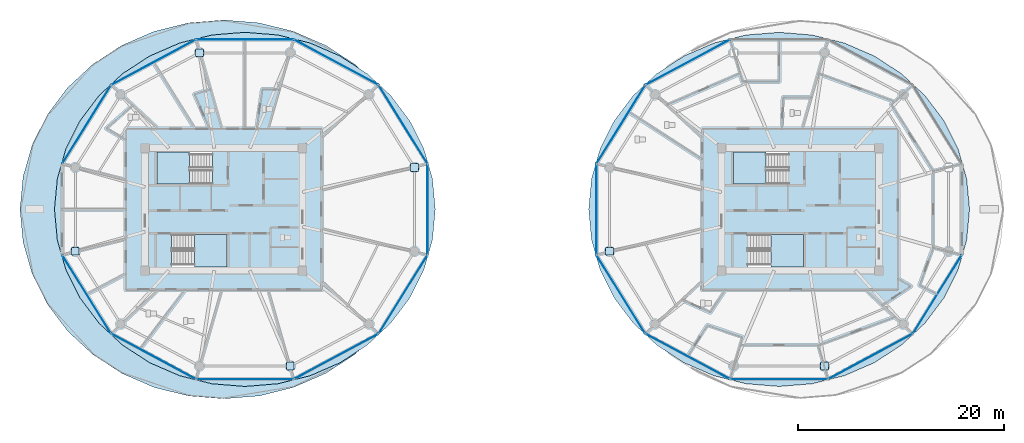
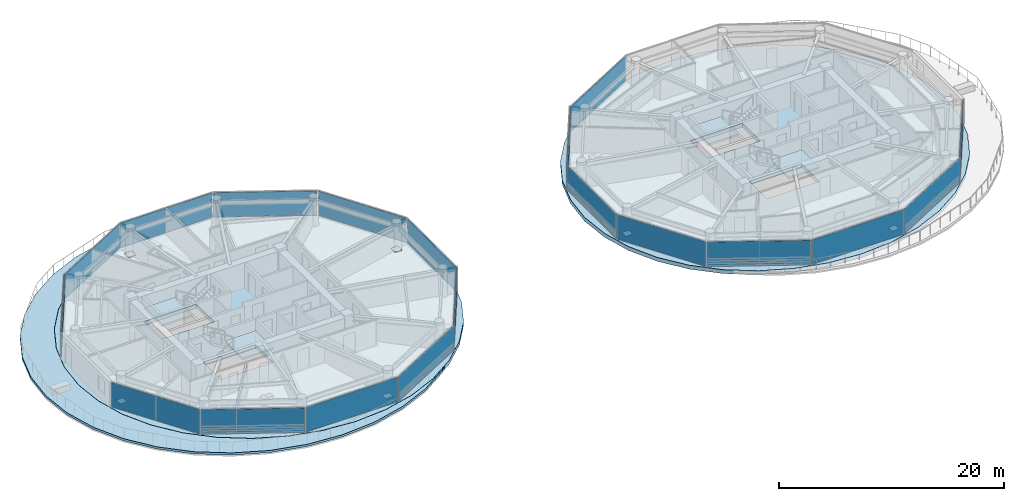
# One storey, part 13 of 32: 25 plates, 7 slabs, 23 elements without a shape of their own.
"""IFC4 building model written with IfcOpenShell, lengths in metres."""

from ifc_helpers import new_model, si_unit, direction, frame, origin, origin_2d, place, context, subcontext, project, spatial, polyline, rectangle, outline, extrude, source, transform, mapped, material, layer, layer_set, type_object, type_shapes, element, aggregate, save


model = new_model("IFC4")

# Units and contexts
model_context = context("Model", 3, precision=1e-05, world=origin(), true_north=direction((0.0, 1.0)))
body_context = subcontext(model_context, "Body", "Model", "MODEL_VIEW")
ifc_project = project(units=[si_unit("LENGTHUNIT", "METRE"), si_unit("AREAUNIT", "SQUARE_METRE"), si_unit("VOLUMEUNIT", "CUBIC_METRE"), si_unit("PLANEANGLEUNIT", "RADIAN"), si_unit("MASSUNIT", "GRAM", prefix="KILO")], contexts=[model_context])

# Site, building, storey
site_placement = place(None, origin())
site = spatial("IfcSite", under=ifc_project, at=site_placement, CompositionType="ELEMENT")
building_placement = place(site_placement, origin())
building = spatial("IfcBuilding", under=site, at=building_placement, Name="Norrkilde Senior Care Towers", CompositionType="ELEMENT")
storey_placement = place(building_placement, frame((0.0, 0.0, 77.949951171875)))
storey = spatial("IfcBuildingStorey", under=building, at=storey_placement, Name="L23", CompositionType="ELEMENT", Elevation=77.949951171875)

# Slab
ifc_material_1 = material(Name="Concrete C45/55", Category="concrete")
ifc_layer_1 = layer(ifc_material_1, 0.22998046875)
ifc_layer_set_1 = layer_set([ifc_layer_1], Name="Concrete C45/55")
slab_type_1 = type_object("IfcSlabType", Name="Cascading Garden Terrace Slab 230", PredefinedType="FLOOR", material=ifc_layer_set_1)
slab_1_placement = place(storey_placement, frame((0.0, 0.0, -0.22998046875)))
element("IfcSlab", 1, at=slab_1_placement, inside=storey, type_object=slab_type_1, Name="L23 Drum W Crescent Sky-Garden Terrace", PredefinedType="FLOOR", context=body_context, shape_type="SweptSolid", body=[
    extrude(outline(polyline([(-15.272705078125, -14.09521484375), (-18.10009765625, -15.934814453125), (-21.22802734375, -17.290283203125), (-24.561767578125, -18.120361328125), (-28.0, -18.39990234375), (-31.438232421875, -18.120361328125), (-34.77197265625, -17.290283203125), (-37.89990234375, -15.934814453125), (-40.727294921875, -14.09521484375), (-43.167724609375, -11.827392578125), (-45.147216796875, -9.199951171875), (-46.60595703125, -6.293212890625), (-47.499267578125, -3.195068359375), (-47.800048828125, 0.0), (-47.499267578125, 3.195068359375), (-46.60595703125, 6.293212890625), (-45.147216796875, 9.199951171875), (-43.167724609375, 11.827392578125), (-40.727294921875, 14.09521484375), (-37.89990234375, 15.934814453125), (-34.77197265625, 17.290283203125), (-31.438232421875, 18.120361328125), (-28.0, 18.39990234375), (-24.561767578125, 18.120361328125), (-21.22802734375, 17.290283203125), (-18.10009765625, 15.934814453125), (-15.272705078125, 14.09521484375), (-14.831787109375, 13.685302734375), (-16.697265625, 14.89990234375), (-16.69775390625, 14.900146484375), (-16.697998046875, 14.900146484375), (-19.62060546875, 16.167236328125), (-19.62109375, 16.16748046875), (-19.621337890625, 16.16748046875), (-22.736328125, 16.943603515625), (-22.73681640625, 16.943603515625), (-22.737060546875, 16.943603515625), (-25.94970703125, 17.205078125), (-25.949951171875, 17.205078125), (-25.950439453125, 17.205078125), (-29.162841796875, 16.943603515625), (-29.163330078125, 16.943603515625), (-29.163818359375, 16.943603515625), (-32.278564453125, 16.16748046875), (-32.279052734375, 16.16748046875), (-32.279296875, 16.167236328125), (-35.201904296875, 14.900146484375), (-35.202392578125, 14.900146484375), (-35.20263671875, 14.89990234375), (-37.84423828125, 13.18017578125), (-37.8447265625, 13.179931640625), (-37.844970703125, 13.1796875), (-40.125244140625, 11.0595703125), (-40.12548828125, 11.059326171875), (-40.125732421875, 11.058837890625), (-41.9755859375, 8.60302734375), (-41.975830078125, 8.6025390625), (-41.975830078125, 8.602294921875), (-43.3388671875, 5.885009765625), (-43.3388671875, 5.884521484375), (-43.339111328125, 5.884033203125), (-44.173828125, 2.988037109375), (-44.173828125, 2.98779296875), (-44.173828125, 2.9873046875), (-44.455078125, 0.00048828125), (-44.455078125, 0.0), (-44.455078125, -0.00048828125), (-44.173828125, -2.9873046875), (-44.173828125, -2.98779296875), (-44.173828125, -2.988037109375), (-43.339111328125, -5.884033203125), (-43.3388671875, -5.884521484375), (-43.3388671875, -5.885009765625), (-41.975830078125, -8.602294921875), (-41.975830078125, -8.6025390625), (-41.9755859375, -8.60302734375), (-40.125732421875, -11.058837890625), (-40.12548828125, -11.059326171875), (-40.125244140625, -11.0595703125), (-37.844970703125, -13.1796875), (-37.8447265625, -13.179931640625), (-37.84423828125, -13.18017578125), (-35.20263671875, -14.89990234375), (-35.202392578125, -14.900146484375), (-35.201904296875, -14.900146484375), (-32.279296875, -16.167236328125), (-32.279052734375, -16.16748046875), (-32.278564453125, -16.16748046875), (-29.163818359375, -16.943603515625), (-29.163330078125, -16.943603515625), (-29.162841796875, -16.943603515625), (-25.950439453125, -17.205078125), (-25.949951171875, -17.205078125), (-25.94970703125, -17.205078125), (-22.737060546875, -16.943603515625), (-22.73681640625, -16.943603515625), (-22.736328125, -16.943603515625), (-19.621337890625, -16.16748046875), (-19.62109375, -16.16748046875), (-19.62060546875, -16.167236328125), (-16.697998046875, -14.900146484375), (-16.69775390625, -14.900146484375), (-16.697265625, -14.89990234375), (-14.831787109375, -13.685302734375), (-15.272705078125, -14.09521484375)])), origin(), (0.0, 0.0, 1.0), 0.22998046875),
])

# Stair, slab
stair_type = type_object("IfcStairType", Name="Core Protected Dogleg Stair Typical 3050", PredefinedType="HALF_TURN_STAIR", material=ifc_material_1)
stair_1_placement = place(storey_placement, origin())
stair_1 = element("IfcStair", 2, at=stair_1_placement, inside=storey, type_object=stair_type, Name="L23 Protected Core Stair W1", PredefinedType="HALF_TURN_STAIR")
ifc_layer_2 = layer(ifc_material_1, 0.199951171875)
ifc_layer_set_2 = layer_set([ifc_layer_2], Name="Concrete C45/55")
slab_type_2 = type_object("IfcSlabType", Name="Stair Landing Slab 200", PredefinedType="LANDING", material=ifc_layer_set_2)
slab_2_placement = place(storey_placement, frame((0.0, 0.0, 1.324951171875)))
slab_2 = element("IfcSlab", 3, at=slab_2_placement, type_object=slab_type_2, Name="ST-W1 landing 1", PredefinedType="LANDING", context=body_context, shape_type="SweptSolid", body=[
    extrude(outline(polyline([(-31.340087890625, 5.590087890625), (-34.5, 5.590087890625), (-34.5, 2.449951171875), (-31.340087890625, 2.449951171875), (-31.340087890625, 5.590087890625)])), origin(), (0.0, 0.0, 1.0), 0.2001953125),
])
aggregate(stair_1, [slab_2])

stair_2_placement = place(storey_placement, origin())
stair_2 = element("IfcStair", 4, at=stair_2_placement, inside=storey, type_object=stair_type, Name="L23 Protected Core Stair W2", PredefinedType="HALF_TURN_STAIR")
slab_3_placement = place(storey_placement, frame((0.0, 0.0, 1.324951171875)))
slab_3 = element("IfcSlab", 5, at=slab_3_placement, type_object=slab_type_2, Name="ST-W2 landing 1", PredefinedType="LANDING", context=body_context, shape_type="SweptSolid", body=[
    extrude(outline(polyline([(-30.860107421875, -5.590087890625), (-27.699951171875, -5.590087890625), (-27.699951171875, -2.449951171875), (-30.860107421875, -2.449951171875), (-30.860107421875, -5.590087890625)])), origin(), (0.0, 0.0, 1.0), 0.2001953125),
])
aggregate(stair_2, [slab_3])

stair_3_placement = place(storey_placement, origin())
stair_3 = element("IfcStair", 6, at=stair_3_placement, inside=storey, type_object=stair_type, Name="L23 Protected Core Stair E1", PredefinedType="HALF_TURN_STAIR")
slab_4_placement = place(storey_placement, frame((0.0, 0.0, 1.324951171875)))
slab_4 = element("IfcSlab", 7, at=slab_4_placement, type_object=slab_type_2, Name="ST-E1 landing 1", PredefinedType="LANDING", context=body_context, shape_type="SweptSolid", body=[
    extrude(outline(polyline([(24.659912109375, 5.590087890625), (21.5, 5.590087890625), (21.5, 2.449951171875), (24.659912109375, 2.449951171875), (24.659912109375, 5.590087890625)])), origin(), (0.0, 0.0, 1.0), 0.2001953125),
])
aggregate(stair_3, [slab_4])

stair_4_placement = place(storey_placement, origin())
stair_4 = element("IfcStair", 8, at=stair_4_placement, inside=storey, type_object=stair_type, Name="L23 Protected Core Stair E2", PredefinedType="HALF_TURN_STAIR")
slab_5_placement = place(storey_placement, frame((0.0, 0.0, 1.324951171875)))
slab_5 = element("IfcSlab", 9, at=slab_5_placement, type_object=slab_type_2, Name="ST-E2 landing 1", PredefinedType="LANDING", context=body_context, shape_type="SweptSolid", body=[
    extrude(outline(polyline([(25.139892578125, -5.590087890625), (28.300048828125, -5.590087890625), (28.300048828125, -2.449951171875), (25.139892578125, -2.449951171875), (25.139892578125, -5.590087890625)])), origin(), (0.0, 0.0, 1.0), 0.2001953125),
])
aggregate(stair_4, [slab_5])

# Slabs
ifc_material_2 = material(Name="Concrete C60/75", Category="concrete")
ifc_layer_3 = layer(ifc_material_2, 0.419921875)
ifc_layer_set_3 = layer_set([ifc_layer_3], Name="Concrete C60/75")
slab_type_3 = type_object("IfcSlabType", Name="Transfer Deck Slab 420", PredefinedType="FLOOR", material=ifc_layer_set_3)
slab_6_placement = place(storey_placement, frame((0.0, 0.0, -0.419921875)))
element("IfcSlab", 10, at=slab_6_placement, inside=storey, type_object=slab_type_3, Name="L23 Drum W Structural Floor Slab", PredefinedType="FLOOR", context=body_context, shape_type="SweptSolid", body=[
    extrude(outline(polyline([(-8.565673828125, -5.8828125), (-9.928466796875, -8.60009765625), (-11.778076171875, -11.055908203125), (-14.058349609375, -13.176025390625), (-16.699951171875, -14.895751953125), (-19.62255859375, -16.16259765625), (-22.737548828125, -16.938720703125), (-25.949951171875, -17.199951171875), (-29.16259765625, -16.938720703125), (-32.27734375, -16.16259765625), (-35.199951171875, -14.895751953125), (-37.841552734375, -13.176025390625), (-40.121826171875, -11.055908203125), (-41.971435546875, -8.60009765625), (-43.334228515625, -5.8828125), (-44.1689453125, -2.98681640625), (-44.449951171875, 0.0), (-44.1689453125, 2.98681640625), (-43.334228515625, 5.8828125), (-41.971435546875, 8.60009765625), (-40.121826171875, 11.055908203125), (-37.841552734375, 13.176025390625), (-35.199951171875, 14.895751953125), (-32.27734375, 16.16259765625), (-29.16259765625, 16.938720703125), (-25.949951171875, 17.199951171875), (-22.737548828125, 16.938720703125), (-19.62255859375, 16.16259765625), (-16.699951171875, 14.895751953125), (-14.058349609375, 13.176025390625), (-11.778076171875, 11.055908203125), (-9.928466796875, 8.60009765625), (-8.565673828125, 5.8828125), (-7.73095703125, 2.98681640625), (-7.449951171875, 0.0), (-7.73095703125, -2.98681640625), (-8.565673828125, -5.8828125)]), holes=[polyline([(-34.48193359375, 2.468017578125), (-29.117919921875, 2.468017578125), (-29.117919921875, 5.590087890625), (-34.48193359375, 5.590087890625), (-34.48193359375, 2.468017578125)]), polyline([(-27.718017578125, -5.590087890625), (-27.718017578125, -2.468017578125), (-33.08203125, -2.468017578125), (-33.08203125, -5.590087890625), (-27.718017578125, -5.590087890625)])]), origin(), (0.0, 0.0, 1.0), 0.419921875),
])
slab_7_placement = place(storey_placement, frame((0.0, 0.0, -0.419921875)))
element("IfcSlab", 11, at=slab_7_placement, inside=storey, type_object=slab_type_3, Name="L23 Drum E Structural Floor Slab", PredefinedType="FLOOR", context=body_context, shape_type="SweptSolid", body=[
    extrude(outline(polyline([(43.334228515625, -5.8828125), (41.971435546875, -8.60009765625), (40.121826171875, -11.055908203125), (37.841552734375, -13.176025390625), (35.199951171875, -14.895751953125), (32.27734375, -16.16259765625), (29.16259765625, -16.938720703125), (25.949951171875, -17.199951171875), (22.737548828125, -16.938720703125), (19.62255859375, -16.16259765625), (16.699951171875, -14.895751953125), (14.058349609375, -13.176025390625), (11.778076171875, -11.055908203125), (9.928466796875, -8.60009765625), (8.565673828125, -5.8828125), (7.73095703125, -2.98681640625), (7.449951171875, 0.0), (7.73095703125, 2.98681640625), (8.565673828125, 5.8828125), (9.928466796875, 8.60009765625), (11.778076171875, 11.055908203125), (14.058349609375, 13.176025390625), (16.699951171875, 14.895751953125), (19.62255859375, 16.16259765625), (22.737548828125, 16.938720703125), (25.949951171875, 17.199951171875), (29.16259765625, 16.938720703125), (32.27734375, 16.16259765625), (35.199951171875, 14.895751953125), (37.841552734375, 13.176025390625), (40.121826171875, 11.055908203125), (41.971435546875, 8.60009765625), (43.334228515625, 5.8828125), (44.1689453125, 2.98681640625), (44.449951171875, 0.0), (44.1689453125, -2.98681640625), (43.334228515625, -5.8828125)]), holes=[polyline([(21.51806640625, 2.468017578125), (26.882080078125, 2.468017578125), (26.882080078125, 5.590087890625), (21.51806640625, 5.590087890625), (21.51806640625, 2.468017578125)]), polyline([(28.281982421875, -5.590087890625), (28.281982421875, -2.468017578125), (22.91796875, -2.468017578125), (22.91796875, -5.590087890625), (28.281982421875, -5.590087890625)])]), origin(), (0.0, 0.0, 1.0), 0.419921875),
])

# Plates
ifc_material_3 = material(Name="Steel S355", Category="steel")
ifc_layer_4 = layer(ifc_material_3, 0.030029296875)
ifc_layer_set_4 = layer_set([ifc_layer_4], Name="Steel S355")
plate_type_1 = type_object("IfcPlateType", Name="Column Splice Flange Plate 30", PredefinedType="USERDEFINED", material=ifc_layer_set_4)
shared_shape_1 = source(origin(), body_context, "Body", "SweptSolid", [
    extrude(rectangle(XDim=0.75, YDim=0.75, at=origin_2d()), origin(), (0.0, 0.0, 1.0), 0.030029296875),
])
type_shapes(plate_type_1, [shared_shape_1])
for number, where, z_axis, x_axis, name in (
    (12, (-9.48095703125, 4.076416015625, 0.0), (0.0, 0.0, 1.0), (1.0, 0.0, 0.0), "L23 Column W-01 Splice Flange Plate"),
    (13, (-30.36279296875, 15.21337890625, 0.0), (0.0, 0.0, 1.0), (1.0, 0.0, 0.0), "L23 Column W-04 Splice Flange Plate"),
    (14, (-42.4189453125, -4.076416015625, 0.0), (0.0, 0.0, 1.0), (1.0, 0.0, 0.0), "L23 Column W-07 Splice Flange Plate"),
    (15, (-21.537109375, -15.21337890625, 0.0), (0.0, 0.0, 1.0), (1.0, 0.0, 0.0), "L23 Column W-10 Splice Flange Plate"),
    (16, (9.48095703125, -4.076416015625, 0.0), (0.0, 0.0, 1.0), (1.0, 0.0, 0.0), "L23 Column E-07 Splice Flange Plate"),
    (17, (30.36279296875, -15.21337890625, 0.0), (0.0, 0.0, 1.0), (1.0, 0.0, 0.0), "L23 Column E-10 Splice Flange Plate"),
):
    element("IfcPlate", number, at=place(storey_placement, frame(where, z_axis=z_axis, x_axis=x_axis)), inside=storey, type_object=plate_type_1, Name=name, ObjectType="FLANGE_PLATE", PredefinedType="USERDEFINED", context=body_context, shape_type="MappedRepresentation", body=[
        mapped(shared_shape_1, transform((0.0, 0.0, 0.0), x_axis=(1.0, 0.0, 0.0), y_axis=(0.0, 1.0, 0.0), z_axis=(0.0, 0.0, 1.0), scale=1.0)),
    ])

# Curtain wall, plate
ifc_material_4 = material(Name="Triple Low-E Insulated Glazing", Category="glass")
ifc_layer_5 = layer(ifc_material_4, 0.195068359375)
ifc_layer_set_5 = layer_set([ifc_layer_5], Name="Triple Low-E Insulated Glazing")
curtain_wall_type = type_object("IfcCurtainWallType", Name="CW3 Zone 2 Assisted Living Curtain Wall", PredefinedType="NOTDEFINED", material=ifc_layer_set_5)
curtain_wall_1_placement = place(storey_placement, origin())
curtain_wall_1 = element("IfcCurtainWall", 18, at=curtain_wall_1_placement, inside=storey, type_object=curtain_wall_type, Name="L23 Drum W Curtain Wall 00", PredefinedType="NOTDEFINED")
ifc_layer_6 = layer(ifc_material_4, 0.035888671875)
ifc_layer_set_6 = layer_set([ifc_layer_6], Name="Triple Low-E Insulated Glazing")
plate_type_2 = type_object("IfcPlateType", Name="Triple Low-E Vision Curtain Panel 36", PredefinedType="CURTAIN_PANEL", material=ifc_layer_set_6)
shared_shape_2 = source(origin(), body_context, "Body", "SweptSolid", [
    extrude(rectangle(XDim=8.88427734375, YDim=0.035888671875, at=origin_2d()), origin(), (0.0, 0.0, 1.0), 2.669921875),
])
plate_1_placement = place(storey_placement, frame((-10.574951171875, 8.2490234375, 0.06005859375), z_axis=(0.0, 0.0, 1.0), x_axis=(0.527733228002, -0.849410171862, 0.0)))
plate_1 = element("IfcPlate", 19, at=plate_1_placement, type_object=plate_type_2, Name="CW-3 panel 1.1", PredefinedType="CURTAIN_PANEL", context=body_context, shape_type="MappedRepresentation", body=[
    mapped(shared_shape_2, transform((0.0, 0.0, 0.0), x_axis=(1.0, 0.0, 0.0), y_axis=(0.0, 1.0, 0.0), z_axis=(0.0, 0.0, 1.0), scale=1.0)),
])
aggregate(curtain_wall_1, [plate_1])

curtain_wall_2_placement = place(storey_placement, origin())
curtain_wall_2 = element("IfcCurtainWall", 20, at=curtain_wall_2_placement, inside=storey, type_object=curtain_wall_type, Name="L23 Drum W Curtain Wall 04", PredefinedType="NOTDEFINED")
plate_2_placement = place(storey_placement, frame((-41.3251953125, 8.2490234375, 0.06005859375), z_axis=(0.0, 0.0, 1.0), x_axis=(0.527733228002, 0.849410171862, 0.0)))
plate_2 = element("IfcPlate", 21, at=plate_2_placement, type_object=plate_type_2, Name="CW-3 panel 1.1", PredefinedType="CURTAIN_PANEL", context=body_context, shape_type="MappedRepresentation", body=[
    mapped(shared_shape_2, transform((0.0, 0.0, 0.0), x_axis=(1.0, 0.0, 0.0), y_axis=(0.0, 1.0, 0.0), z_axis=(0.0, 0.0, 1.0), scale=1.0)),
])
aggregate(curtain_wall_2, [plate_2])

curtain_wall_3_placement = place(storey_placement, origin())
curtain_wall_3 = element("IfcCurtainWall", 22, at=curtain_wall_3_placement, inside=storey, type_object=curtain_wall_type, Name="L23 Drum W Curtain Wall 06", PredefinedType="NOTDEFINED")
plate_3_placement = place(storey_placement, frame((-41.3251953125, -8.2490234375, 0.06005859375), z_axis=(0.0, 0.0, 1.0), x_axis=(-0.527733228002, 0.849410171862, 0.0)))
plate_3 = element("IfcPlate", 23, at=plate_3_placement, type_object=plate_type_2, Name="CW-3 panel 1.1", PredefinedType="CURTAIN_PANEL", context=body_context, shape_type="MappedRepresentation", body=[
    mapped(shared_shape_2, transform((0.0, 0.0, 0.0), x_axis=(1.0, 0.0, 0.0), y_axis=(0.0, 1.0, 0.0), z_axis=(0.0, 0.0, 1.0), scale=1.0)),
])
aggregate(curtain_wall_3, [plate_3])

curtain_wall_4_placement = place(storey_placement, origin())
curtain_wall_4 = element("IfcCurtainWall", 24, at=curtain_wall_4_placement, inside=storey, type_object=curtain_wall_type, Name="L23 Drum W Curtain Wall 10", PredefinedType="NOTDEFINED")
plate_4_placement = place(storey_placement, frame((-10.574951171875, -8.2490234375, 0.06005859375), z_axis=(0.0, 0.0, 1.0), x_axis=(-0.527733228002, -0.849410171862, 0.0)))
plate_4 = element("IfcPlate", 25, at=plate_4_placement, type_object=plate_type_2, Name="CW-3 panel 1.1", PredefinedType="CURTAIN_PANEL", context=body_context, shape_type="MappedRepresentation", body=[
    mapped(shared_shape_2, transform((0.0, 0.0, 0.0), x_axis=(1.0, 0.0, 0.0), y_axis=(0.0, 1.0, 0.0), z_axis=(0.0, 0.0, 1.0), scale=1.0)),
])
aggregate(curtain_wall_4, [plate_4])

curtain_wall_5_placement = place(storey_placement, origin())
curtain_wall_5 = element("IfcCurtainWall", 26, at=curtain_wall_5_placement, inside=storey, type_object=curtain_wall_type, Name="L23 Drum E Curtain Wall 04", PredefinedType="NOTDEFINED")
plate_5_placement = place(storey_placement, frame((10.574951171875, 8.2490234375, 0.06005859375), z_axis=(0.0, 0.0, 1.0), x_axis=(0.527733228002, 0.849410171862, 0.0)))
plate_5 = element("IfcPlate", 27, at=plate_5_placement, type_object=plate_type_2, Name="CW-3 panel 1.1", PredefinedType="CURTAIN_PANEL", context=body_context, shape_type="MappedRepresentation", body=[
    mapped(shared_shape_2, transform((0.0, 0.0, 0.0), x_axis=(1.0, 0.0, 0.0), y_axis=(0.0, 1.0, 0.0), z_axis=(0.0, 0.0, 1.0), scale=1.0)),
])
aggregate(curtain_wall_5, [plate_5])

curtain_wall_6_placement = place(storey_placement, origin())
curtain_wall_6 = element("IfcCurtainWall", 28, at=curtain_wall_6_placement, inside=storey, type_object=curtain_wall_type, Name="L23 Drum E Curtain Wall 06", PredefinedType="NOTDEFINED")
plate_6_placement = place(storey_placement, frame((10.574951171875, -8.2490234375, 0.06005859375), z_axis=(0.0, 0.0, 1.0), x_axis=(-0.527733228002, 0.849410171862, 0.0)))
plate_6 = element("IfcPlate", 29, at=plate_6_placement, type_object=plate_type_2, Name="CW-3 panel 1.1", PredefinedType="CURTAIN_PANEL", context=body_context, shape_type="MappedRepresentation", body=[
    mapped(shared_shape_2, transform((0.0, 0.0, 0.0), x_axis=(1.0, 0.0, 0.0), y_axis=(0.0, 1.0, 0.0), z_axis=(0.0, 0.0, 1.0), scale=1.0)),
])
aggregate(curtain_wall_6, [plate_6])

curtain_wall_7_placement = place(storey_placement, origin())
curtain_wall_7 = element("IfcCurtainWall", 30, at=curtain_wall_7_placement, inside=storey, type_object=curtain_wall_type, Name="L23 Drum E Curtain Wall 10", PredefinedType="NOTDEFINED")
plate_7_placement = place(storey_placement, frame((41.3251953125, -8.2490234375, 0.06005859375), z_axis=(0.0, 0.0, 1.0), x_axis=(-0.527733228002, -0.849410171862, 0.0)))
plate_7 = element("IfcPlate", 31, at=plate_7_placement, type_object=plate_type_2, Name="CW-3 panel 1.1", PredefinedType="CURTAIN_PANEL", context=body_context, shape_type="MappedRepresentation", body=[
    mapped(shared_shape_2, transform((0.0, 0.0, 0.0), x_axis=(1.0, 0.0, 0.0), y_axis=(0.0, 1.0, 0.0), z_axis=(0.0, 0.0, 1.0), scale=1.0)),
])
aggregate(curtain_wall_7, [plate_7])

curtain_wall_8_placement = place(storey_placement, origin())
curtain_wall_8 = element("IfcCurtainWall", 32, at=curtain_wall_8_placement, inside=storey, type_object=curtain_wall_type, Name="L23 Drum W Curtain Wall 01", PredefinedType="NOTDEFINED")
shared_shape_3 = source(origin(), body_context, "Body", "SweptSolid", [
    extrude(rectangle(XDim=9.220458984375, YDim=0.035888671875, at=origin_2d()), origin(), (0.0, 0.0, 1.0), 2.669921875),
])
plate_8_placement = place(storey_placement, frame((-17.0732421875, 14.28759765625, 0.06005859375), z_axis=(0.0, 0.0, 1.0), x_axis=(0.881186184668, -0.472769402511, 0.0)))
plate_8 = element("IfcPlate", 33, at=plate_8_placement, type_object=plate_type_2, Name="CW-3 panel 1.1", PredefinedType="CURTAIN_PANEL", context=body_context, shape_type="MappedRepresentation", body=[
    mapped(shared_shape_3, transform((0.0, 0.0, 0.0), x_axis=(1.0, 0.0, 0.0), y_axis=(0.0, 1.0, 0.0), z_axis=(0.0, 0.0, 1.0), scale=1.0)),
])
aggregate(curtain_wall_8, [plate_8])

curtain_wall_9_placement = place(storey_placement, origin())
curtain_wall_9 = element("IfcCurtainWall", 34, at=curtain_wall_9_placement, inside=storey, type_object=curtain_wall_type, Name="L23 Drum W Curtain Wall 03", PredefinedType="NOTDEFINED")
plate_9_placement = place(storey_placement, frame((-34.826904296875, 14.28759765625, 0.06005859375), z_axis=(0.0, 0.0, 1.0), x_axis=(0.881186184668, 0.472769402511, 0.0)))
plate_9 = element("IfcPlate", 35, at=plate_9_placement, type_object=plate_type_2, Name="CW-3 panel 1.1", PredefinedType="CURTAIN_PANEL", context=body_context, shape_type="MappedRepresentation", body=[
    mapped(shared_shape_3, transform((0.0, 0.0, 0.0), x_axis=(1.0, 0.0, 0.0), y_axis=(0.0, 1.0, 0.0), z_axis=(0.0, 0.0, 1.0), scale=1.0)),
])
aggregate(curtain_wall_9, [plate_9])

curtain_wall_10_placement = place(storey_placement, origin())
curtain_wall_10 = element("IfcCurtainWall", 36, at=curtain_wall_10_placement, inside=storey, type_object=curtain_wall_type, Name="L23 Drum W Curtain Wall 07", PredefinedType="NOTDEFINED")
plate_10_placement = place(storey_placement, frame((-34.826904296875, -14.28759765625, 0.06005859375), z_axis=(0.0, 0.0, 1.0), x_axis=(-0.881186184668, 0.472769402511, 0.0)))
plate_10 = element("IfcPlate", 37, at=plate_10_placement, type_object=plate_type_2, Name="CW-3 panel 1.1", PredefinedType="CURTAIN_PANEL", context=body_context, shape_type="MappedRepresentation", body=[
    mapped(shared_shape_3, transform((0.0, 0.0, 0.0), x_axis=(1.0, 0.0, 0.0), y_axis=(0.0, 1.0, 0.0), z_axis=(0.0, 0.0, 1.0), scale=1.0)),
])
aggregate(curtain_wall_10, [plate_10])

curtain_wall_11_placement = place(storey_placement, origin())
curtain_wall_11 = element("IfcCurtainWall", 38, at=curtain_wall_11_placement, inside=storey, type_object=curtain_wall_type, Name="L23 Drum W Curtain Wall 09", PredefinedType="NOTDEFINED")
plate_11_placement = place(storey_placement, frame((-17.0732421875, -14.28759765625, 0.06005859375), z_axis=(0.0, 0.0, 1.0), x_axis=(-0.881186184668, -0.472769402511, 0.0)))
plate_11 = element("IfcPlate", 39, at=plate_11_placement, type_object=plate_type_2, Name="CW-3 panel 1.1", PredefinedType="CURTAIN_PANEL", context=body_context, shape_type="MappedRepresentation", body=[
    mapped(shared_shape_3, transform((0.0, 0.0, 0.0), x_axis=(1.0, 0.0, 0.0), y_axis=(0.0, 1.0, 0.0), z_axis=(0.0, 0.0, 1.0), scale=1.0)),
])
aggregate(curtain_wall_11, [plate_11])

curtain_wall_12_placement = place(storey_placement, origin())
curtain_wall_12 = element("IfcCurtainWall", 40, at=curtain_wall_12_placement, inside=storey, type_object=curtain_wall_type, Name="L23 Drum E Curtain Wall 03", PredefinedType="NOTDEFINED")
plate_12_placement = place(storey_placement, frame((17.0732421875, 14.28759765625, 0.06005859375), z_axis=(0.0, 0.0, 1.0), x_axis=(0.881186184668, 0.472769402511, 0.0)))
plate_12 = element("IfcPlate", 41, at=plate_12_placement, type_object=plate_type_2, Name="CW-3 panel 1.1", PredefinedType="CURTAIN_PANEL", context=body_context, shape_type="MappedRepresentation", body=[
    mapped(shared_shape_3, transform((0.0, 0.0, 0.0), x_axis=(1.0, 0.0, 0.0), y_axis=(0.0, 1.0, 0.0), z_axis=(0.0, 0.0, 1.0), scale=1.0)),
])
aggregate(curtain_wall_12, [plate_12])

curtain_wall_13_placement = place(storey_placement, origin())
curtain_wall_13 = element("IfcCurtainWall", 42, at=curtain_wall_13_placement, inside=storey, type_object=curtain_wall_type, Name="L23 Drum E Curtain Wall 07", PredefinedType="NOTDEFINED")
plate_13_placement = place(storey_placement, frame((17.0732421875, -14.28759765625, 0.06005859375), z_axis=(0.0, 0.0, 1.0), x_axis=(-0.881186184668, 0.472769402511, 0.0)))
plate_13 = element("IfcPlate", 43, at=plate_13_placement, type_object=plate_type_2, Name="CW-3 panel 1.1", PredefinedType="CURTAIN_PANEL", context=body_context, shape_type="MappedRepresentation", body=[
    mapped(shared_shape_3, transform((0.0, 0.0, 0.0), x_axis=(1.0, 0.0, 0.0), y_axis=(0.0, 1.0, 0.0), z_axis=(0.0, 0.0, 1.0), scale=1.0)),
])
aggregate(curtain_wall_13, [plate_13])

curtain_wall_14_placement = place(storey_placement, origin())
curtain_wall_14 = element("IfcCurtainWall", 44, at=curtain_wall_14_placement, inside=storey, type_object=curtain_wall_type, Name="L23 Drum E Curtain Wall 09", PredefinedType="NOTDEFINED")
plate_14_placement = place(storey_placement, frame((34.826904296875, -14.28759765625, 0.06005859375), z_axis=(0.0, 0.0, 1.0), x_axis=(-0.881186184668, -0.472769402511, 0.0)))
plate_14 = element("IfcPlate", 45, at=plate_14_placement, type_object=plate_type_2, Name="CW-3 panel 1.1", PredefinedType="CURTAIN_PANEL", context=body_context, shape_type="MappedRepresentation", body=[
    mapped(shared_shape_3, transform((0.0, 0.0, 0.0), x_axis=(1.0, 0.0, 0.0), y_axis=(0.0, 1.0, 0.0), z_axis=(0.0, 0.0, 1.0), scale=1.0)),
])
aggregate(curtain_wall_14, [plate_14])

curtain_wall_15_placement = place(storey_placement, origin())
curtain_wall_15 = element("IfcCurtainWall", 46, at=curtain_wall_15_placement, inside=storey, type_object=curtain_wall_type, Name="L23 Drum W Curtain Wall 02", PredefinedType="NOTDEFINED")
shared_shape_4 = source(origin(), body_context, "Body", "SweptSolid", [
    extrude(rectangle(XDim=9.38427734375, YDim=0.035888671875, at=origin_2d()), origin(), (0.0, 0.0, 1.0), 2.669921875),
])
plate_15_placement = place(storey_placement, frame((-25.949951171875, 16.498046875, 0.06005859375), z_axis=(0.0, 0.0, 1.0), x_axis=(1.0, 0.0, 0.0)))
plate_15 = element("IfcPlate", 47, at=plate_15_placement, type_object=plate_type_2, Name="CW-3 panel 1.1", PredefinedType="CURTAIN_PANEL", context=body_context, shape_type="MappedRepresentation", body=[
    mapped(shared_shape_4, transform((0.0, 0.0, 0.0), x_axis=(1.0, 0.0, 0.0), y_axis=(0.0, 1.0, 0.0), z_axis=(0.0, 0.0, 1.0), scale=1.0)),
])
aggregate(curtain_wall_15, [plate_15])

curtain_wall_16_placement = place(storey_placement, origin())
curtain_wall_16 = element("IfcCurtainWall", 48, at=curtain_wall_16_placement, inside=storey, type_object=curtain_wall_type, Name="L23 Drum W Curtain Wall 08", PredefinedType="NOTDEFINED")
plate_16_placement = place(storey_placement, frame((-25.949951171875, -16.498046875, 0.06005859375), z_axis=(0.0, 0.0, 1.0), x_axis=(-1.0, 0.0, 0.0)))
plate_16 = element("IfcPlate", 49, at=plate_16_placement, type_object=plate_type_2, Name="CW-3 panel 1.1", PredefinedType="CURTAIN_PANEL", context=body_context, shape_type="MappedRepresentation", body=[
    mapped(shared_shape_4, transform((0.0, 0.0, 0.0), x_axis=(1.0, 0.0, 0.0), y_axis=(0.0, 1.0, 0.0), z_axis=(0.0, 0.0, 1.0), scale=1.0)),
])
aggregate(curtain_wall_16, [plate_16])

curtain_wall_17_placement = place(storey_placement, origin())
curtain_wall_17 = element("IfcCurtainWall", 50, at=curtain_wall_17_placement, inside=storey, type_object=curtain_wall_type, Name="L23 Drum E Curtain Wall 08", PredefinedType="NOTDEFINED")
plate_17_placement = place(storey_placement, frame((25.949951171875, -16.498046875, 0.06005859375), z_axis=(0.0, 0.0, 1.0), x_axis=(-1.0, 0.0, 0.0)))
plate_17 = element("IfcPlate", 51, at=plate_17_placement, type_object=plate_type_2, Name="CW-3 panel 1.1", PredefinedType="CURTAIN_PANEL", context=body_context, shape_type="MappedRepresentation", body=[
    mapped(shared_shape_4, transform((0.0, 0.0, 0.0), x_axis=(1.0, 0.0, 0.0), y_axis=(0.0, 1.0, 0.0), z_axis=(0.0, 0.0, 1.0), scale=1.0)),
])
aggregate(curtain_wall_17, [plate_17])

curtain_wall_18_placement = place(storey_placement, origin())
curtain_wall_18 = element("IfcCurtainWall", 52, at=curtain_wall_18_placement, inside=storey, type_object=curtain_wall_type, Name="L23 Drum W Curtain Wall 11", PredefinedType="NOTDEFINED")
shared_shape_5 = source(origin(), body_context, "Body", "SweptSolid", [
    extrude(rectangle(XDim=8.711181640625, YDim=0.035888671875, at=origin_2d()), origin(), (0.0, 0.0, 1.0), 2.669921875),
])
type_shapes(plate_type_2, [shared_shape_2, shared_shape_3, shared_shape_4, shared_shape_5])
plate_18_placement = place(storey_placement, frame((-8.1962890625, 0.0, 0.06005859375), z_axis=(0.0, 0.0, 1.0), x_axis=(0.0, -1.0, 0.0)))
plate_18 = element("IfcPlate", 53, at=plate_18_placement, type_object=plate_type_2, Name="CW-3 panel 1.1", PredefinedType="CURTAIN_PANEL", context=body_context, shape_type="MappedRepresentation", body=[
    mapped(shared_shape_5, transform((0.0, 0.0, 0.0), x_axis=(1.0, 0.0, 0.0), y_axis=(0.0, 1.0, 0.0), z_axis=(0.0, 0.0, 1.0), scale=1.0)),
])
aggregate(curtain_wall_18, [plate_18])

curtain_wall_19_placement = place(storey_placement, origin())
curtain_wall_19 = element("IfcCurtainWall", 54, at=curtain_wall_19_placement, inside=storey, type_object=curtain_wall_type, Name="L23 Drum E Curtain Wall 05", PredefinedType="NOTDEFINED")
plate_19_placement = place(storey_placement, frame((8.1962890625, 0.0, 0.06005859375), z_axis=(0.0, 0.0, 1.0), x_axis=(0.0, 1.0, 0.0)))
plate_19 = element("IfcPlate", 55, at=plate_19_placement, type_object=plate_type_2, Name="CW-3 panel 1.1", PredefinedType="CURTAIN_PANEL", context=body_context, shape_type="MappedRepresentation", body=[
    mapped(shared_shape_5, transform((0.0, 0.0, 0.0), x_axis=(1.0, 0.0, 0.0), y_axis=(0.0, 1.0, 0.0), z_axis=(0.0, 0.0, 1.0), scale=1.0)),
])
aggregate(curtain_wall_19, [plate_19])

save(model, "model.ifc")
